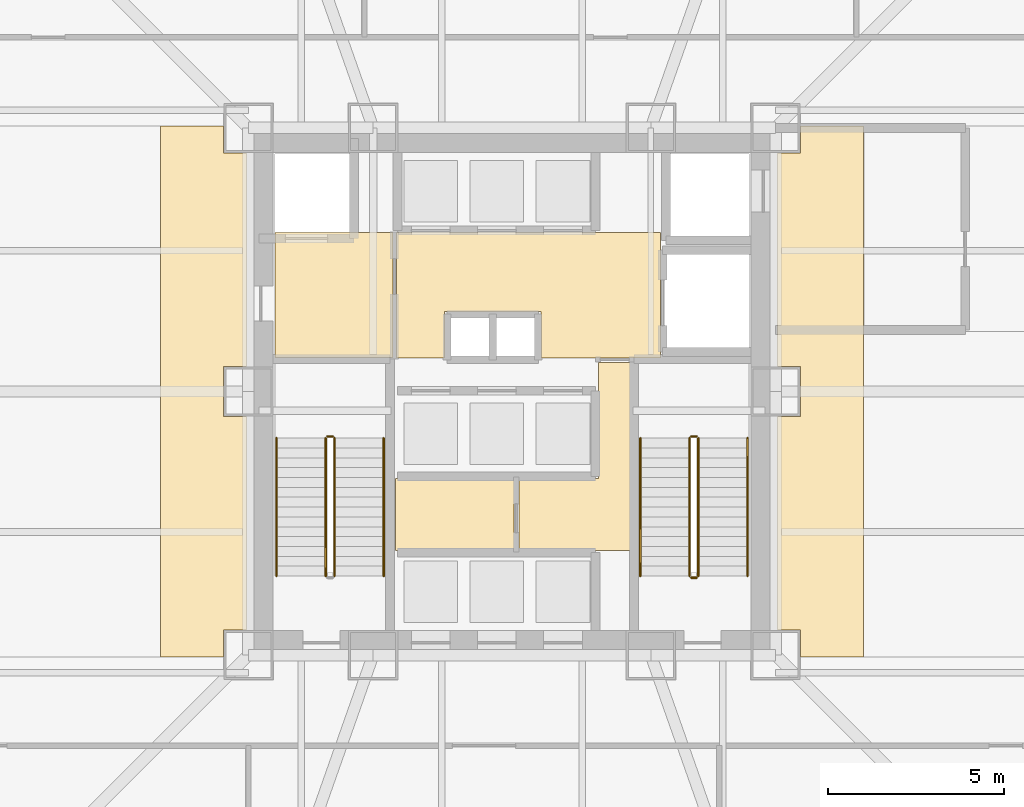
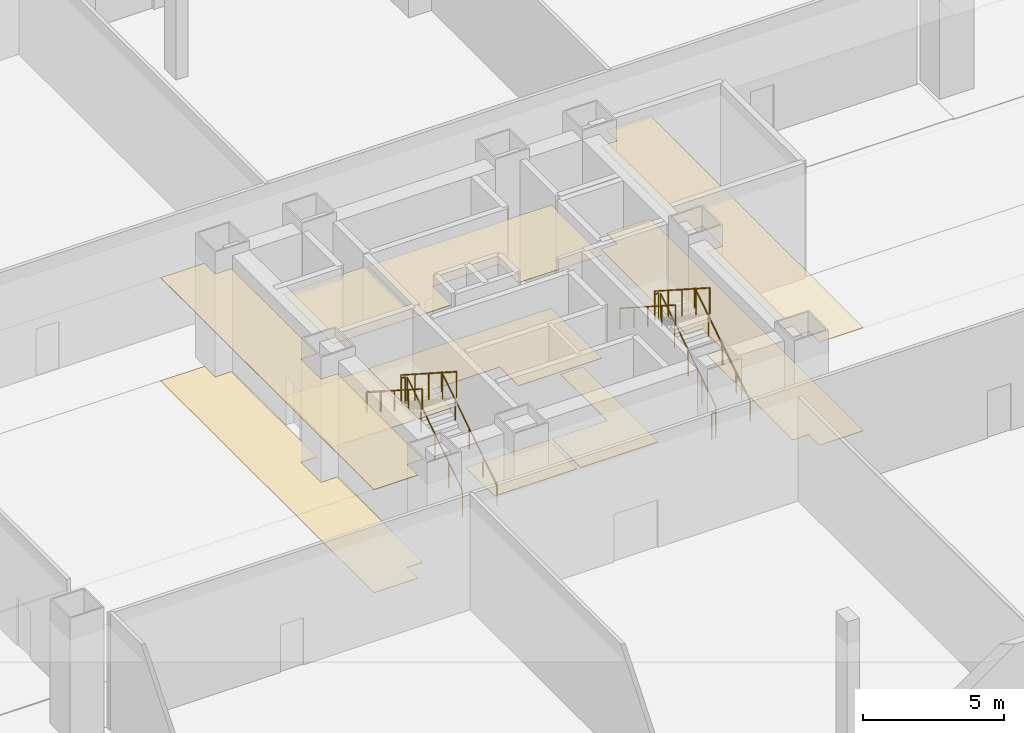
# One storey, part 17 of 24: 11 railings, 10 coverings.
"""IFC4 building model written with IfcOpenShell, lengths in metres."""

from ifc_helpers import new_model, si_unit, direction, frame, origin, origin_2d, place, context, subcontext, project, spatial, polyline, circle, outline, extrude, material, layer, layer_set, type_object, element, save


model = new_model("IFC4")

# Units and contexts
model_context = context("Model", 3, precision=1e-05, world=origin(), true_north=direction((0.0, 1.0)))
body_context = subcontext(model_context, "Body", "Model", "MODEL_VIEW")
ifc_project = project(units=[si_unit("LENGTHUNIT", "METRE"), si_unit("AREAUNIT", "SQUARE_METRE"), si_unit("VOLUMEUNIT", "CUBIC_METRE"), si_unit("PLANEANGLEUNIT", "RADIAN"), si_unit("MASSUNIT", "GRAM", prefix="KILO")], contexts=[model_context])

# Site, building, storey
site_placement = place(None, origin())
site = spatial("IfcSite", under=ifc_project, at=site_placement, CompositionType="ELEMENT")
building_placement = place(site_placement, origin())
building = spatial("IfcBuilding", under=site, at=building_placement, Name="Trevonay Congress Spire", CompositionType="ELEMENT")
storey_placement = place(building_placement, origin())
storey = spatial("IfcBuildingStorey", under=building, at=storey_placement, Name="L00", CompositionType="ELEMENT", Elevation=0.0)

# Coverings
ifc_material_1 = material(Name="Acoustic Mineral Fibre Board", Category="gypsum")
ifc_layer_1 = layer(ifc_material_1, 0.02490234375, Name="Acoustic Mineral Fibre Board")
ifc_layer_set_1 = layer_set([ifc_layer_1], Name="Acoustic Mineral Fibre Board")
covering_type_1 = type_object("IfcCoveringType", Name="COV-CEIL-ACOUSTIC", PredefinedType="CEILING", material=ifc_layer_set_1)
covering_1_placement = place(storey_placement, frame((0.0, 0.0, 4.449951171875)))
element("IfcCovering", 1, at=covering_1_placement, inside=storey, type_object=covering_type_1, Name="L00 Firefighting Lift Lobby West acoustic suspended ceiling", PredefinedType="CEILING", context=body_context, shape_type="SweptSolid", body=[
    extrude(outline(polyline([(-6.75, 0.9599609375), (-3.3798828125, 0.9599609375), (-3.3798828125, 4.52001953125), (-6.75, 4.52001953125), (-6.75, 0.9599609375)])), origin(), (0.0, 0.0, 1.0), 0.025146484375),
])
covering_2_placement = place(storey_placement, frame((0.0, 0.0, 4.449951171875)))
element("IfcCovering", 2, at=covering_2_placement, inside=storey, type_object=covering_type_1, Name="L00 Central and High-Rise Passenger Lift Lobby acoustic suspended ceiling", PredefinedType="CEILING", context=body_context, shape_type="SweptSolid", body=[
    extrude(outline(polyline([(-3.280029296875, 0.949951171875), (-1.919921875, 0.949951171875), (-1.919921875, 2.280029296875), (0.820068359375, 2.280029296875), (0.820068359375, 0.949951171875), (4.219970703125, 0.949951171875), (4.219970703125, 4.52001953125), (-3.280029296875, 4.52001953125), (-3.280029296875, 0.949951171875)])), origin(), (0.0, 0.0, 1.0), 0.025146484375),
])
covering_3_placement = place(storey_placement, frame((0.0, 0.0, 4.449951171875)))
element("IfcCovering", 3, at=covering_3_placement, inside=storey, type_object=covering_type_1, Name="L00 L00 Grand Concourse West acoustic suspended ceiling", PredefinedType="CEILING", context=body_context, shape_type="SweptSolid", body=[
    extrude(outline(polyline([(-10.0, 7.550048828125), (-8.2099609375, 7.550048828125), (-8.2099609375, 6.7900390625), (-7.550048828125, 6.7900390625), (-7.550048828125, 0.7099609375), (-8.2099609375, 0.7099609375), (-8.2099609375, -0.7099609375), (-7.550048828125, -0.7099609375), (-7.550048828125, -6.7900390625), (-8.2099609375, -6.7900390625), (-8.2099609375, -7.550048828125), (-10.0, -7.550048828125), (-10.0, 7.550048828125)])), origin(), (0.0, 0.0, 1.0), 0.025146484375),
])
covering_4_placement = place(storey_placement, frame((0.0, 0.0, 4.449951171875)))
element("IfcCovering", 4, at=covering_4_placement, inside=storey, type_object=covering_type_1, Name="L00 L00 Grand Concourse East acoustic suspended ceiling", PredefinedType="CEILING", context=body_context, shape_type="SweptSolid", body=[
    extrude(outline(polyline([(10.0, -7.550048828125), (8.2099609375, -7.550048828125), (8.2099609375, -6.7900390625), (7.550048828125, -6.7900390625), (7.550048828125, -0.7099609375), (8.2099609375, -0.7099609375), (8.2099609375, 0.7099609375), (7.550048828125, 0.7099609375), (7.550048828125, 6.7900390625), (8.2099609375, 6.7900390625), (8.2099609375, 7.550048828125), (10.0, 7.550048828125), (10.0, -7.550048828125)])), origin(), (0.0, 0.0, 1.0), 0.025146484375),
])
ifc_material_2 = material(Name="Polished Granite Floor Tile", Category="masonry")
ifc_layer_2 = layer(ifc_material_2, 0.02001953125, Name="Polished Granite Floor Tile")
ifc_layer_set_2 = layer_set([ifc_layer_2], Name="Polished Granite Floor Tile")
covering_type_2 = type_object("IfcCoveringType", Name="COV-FLOOR-STONE", PredefinedType="FLOORING", material=ifc_layer_set_2)
covering_5_placement = place(storey_placement, origin())
element("IfcCovering", 5, at=covering_5_placement, inside=storey, type_object=covering_type_2, Name="L00 Firefighting Lift Lobby West floor finish", PredefinedType="FLOORING", context=body_context, shape_type="SweptSolid", body=[
    extrude(outline(polyline([(-6.75, 0.9599609375), (-3.3798828125, 0.9599609375), (-3.3798828125, 4.52001953125), (-6.75, 4.52001953125), (-6.75, 0.9599609375)])), origin(), (0.0, 0.0, 1.0), 0.02001953125),
])
covering_6_placement = place(storey_placement, origin())
element("IfcCovering", 6, at=covering_6_placement, inside=storey, type_object=covering_type_2, Name="L00 Central and High-Rise Passenger Lift Lobby floor finish", PredefinedType="FLOORING", context=body_context, shape_type="SweptSolid", body=[
    extrude(outline(polyline([(-3.280029296875, 0.949951171875), (-1.919921875, 0.949951171875), (-1.919921875, 2.280029296875), (0.820068359375, 2.280029296875), (0.820068359375, 0.949951171875), (4.219970703125, 0.949951171875), (4.219970703125, 4.52001953125), (-3.280029296875, 4.52001953125), (-3.280029296875, 0.949951171875)])), origin(), (0.0, 0.0, 1.0), 0.02001953125),
])
covering_7_placement = place(storey_placement, origin())
element("IfcCovering", 7, at=covering_7_placement, inside=storey, type_object=covering_type_2, Name="L00 Cleaner and Linen Closet floor finish", PredefinedType="FLOORING", context=body_context, shape_type="SweptSolid", body=[
    extrude(outline(polyline([(-3.320068359375, -4.52001953125), (0.050048828125, -4.52001953125), (0.050048828125, -2.47998046875), (-3.320068359375, -2.47998046875), (-3.320068359375, -4.52001953125)])), origin(), (0.0, 0.0, 1.0), 0.02001953125),
])
covering_8_placement = place(storey_placement, origin())
element("IfcCovering", 8, at=covering_8_placement, inside=storey, type_object=covering_type_2, Name="L00 BMS Control Room floor finish", PredefinedType="FLOORING", context=body_context, shape_type="SweptSolid", body=[
    extrude(outline(polyline([(0.199951171875, -4.52001953125), (3.3798828125, -4.52001953125), (3.3798828125, 0.820068359375), (2.4599609375, 0.820068359375), (2.4599609375, -2.47998046875), (0.199951171875, -2.47998046875), (0.199951171875, -4.52001953125)])), origin(), (0.0, 0.0, 1.0), 0.02001953125),
])
covering_9_placement = place(storey_placement, origin())
element("IfcCovering", 9, at=covering_9_placement, inside=storey, type_object=covering_type_2, Name="L00 L00 Grand Concourse West floor finish", PredefinedType="FLOORING", context=body_context, shape_type="SweptSolid", body=[
    extrude(outline(polyline([(-10.0, 7.550048828125), (-8.2099609375, 7.550048828125), (-8.2099609375, 6.7900390625), (-7.550048828125, 6.7900390625), (-7.550048828125, 0.7099609375), (-8.2099609375, 0.7099609375), (-8.2099609375, -0.7099609375), (-7.550048828125, -0.7099609375), (-7.550048828125, -6.7900390625), (-8.2099609375, -6.7900390625), (-8.2099609375, -7.550048828125), (-10.0, -7.550048828125), (-10.0, 7.550048828125)])), origin(), (0.0, 0.0, 1.0), 0.02001953125),
])
covering_10_placement = place(storey_placement, origin())
element("IfcCovering", 10, at=covering_10_placement, inside=storey, type_object=covering_type_2, Name="L00 L00 Grand Concourse East floor finish", PredefinedType="FLOORING", context=body_context, shape_type="SweptSolid", body=[
    extrude(outline(polyline([(10.0, -7.550048828125), (8.2099609375, -7.550048828125), (8.2099609375, -6.7900390625), (7.550048828125, -6.7900390625), (7.550048828125, -0.7099609375), (8.2099609375, -0.7099609375), (8.2099609375, 0.7099609375), (7.550048828125, 0.7099609375), (7.550048828125, 6.7900390625), (8.2099609375, 6.7900390625), (8.2099609375, 7.550048828125), (10.0, 7.550048828125), (10.0, -7.550048828125)])), origin(), (0.0, 0.0, 1.0), 0.02001953125),
])

# Railings
ifc_material_3 = material(Name="Pale Anodised Aluminium EN AW-6063-T6", Category="aluminium")
railing_type_1 = type_object("IfcRailingType", Name="RAL-STAIR-GUARD-110", PredefinedType="GUARDRAIL", material=ifc_material_3)
railing_1_placement = place(storey_placement, frame((-5.050048828125, -5.25, 0.179931640625)))
element("IfcRailing", 11, at=railing_1_placement, inside=storey, type_object=railing_type_1, Name="L00 ST-1 stair guard 1", PredefinedType="GUARDRAIL", context=body_context, shape_type="SweptSolid", body=[
    extrude(circle(Radius=0.02392578125, at=origin_2d()), frame((0.0, 0.0, 1.1259765625), z_axis=(0.0, 0.841171666519, 0.540768182723), x_axis=(-1.0, 0.0, 0.0)), (0.0, 0.0, 1.0), 4.66015625),
    extrude(circle(Radius=0.02099609375, at=origin_2d()), origin(), (0.0, 0.0, 1.0), 1.101806640625),
    extrude(circle(Radius=0.02099609375, at=origin_2d()), frame((0.0, 0.97998046875, 0.6298828125)), (0.0, 0.0, 1.0), 1.101806640625),
    extrude(circle(Radius=0.02099609375, at=origin_2d()), frame((0.0, 1.9599609375, 1.260009765625)), (0.0, 0.0, 1.0), 1.101806640625),
    extrude(circle(Radius=0.02099609375, at=origin_2d()), frame((0.0, 2.93994140625, 1.89013671875)), (0.0, 0.0, 1.0), 1.101806640625),
    extrude(circle(Radius=0.02099609375, at=origin_2d()), frame((0.0, 3.919921875, 2.52001953125)), (0.0, 0.0, 1.0), 1.101806640625),
])
railing_2_placement = place(storey_placement, frame((-5.10009765625, -1.280029296875, 2.699951171875)))
element("IfcRailing", 12, at=railing_2_placement, inside=storey, type_object=railing_type_1, Name="L00 ST-1 stair guard 2", PredefinedType="GUARDRAIL", context=body_context, shape_type="SweptSolid", body=[
    extrude(circle(Radius=0.02392578125, at=origin_2d()), frame((0.0, 0.0, 1.1259765625), z_axis=(-1.0, 0.0, 0.0), x_axis=(0.0, -1.0, 0.0)), (0.0, 0.0, 1.0), 0.14990234375),
    extrude(circle(Radius=0.02099609375, at=origin_2d()), origin(), (0.0, 0.0, 1.0), 1.101806640625),
    extrude(circle(Radius=0.02099609375, at=origin_2d()), frame((-0.14990234375, 0.0, 0.0)), (0.0, 0.0, 1.0), 1.101806640625),
])
railing_3_placement = place(storey_placement, frame((-5.300048828125, -1.330078125, 2.8798828125)))
element("IfcRailing", 13, at=railing_3_placement, inside=storey, type_object=railing_type_1, Name="L00 ST-1 stair guard 3", PredefinedType="GUARDRAIL", context=body_context, shape_type="SweptSolid", body=[
    extrude(circle(Radius=0.02392578125, at=origin_2d()), frame((0.0, 0.0, 1.1259765625), z_axis=(0.0, -0.841171666519, 0.540768182723), x_axis=(1.0, 0.0, 0.0)), (0.0, 0.0, 1.0), 4.66015625),
    extrude(circle(Radius=0.02099609375, at=origin_2d()), origin(), (0.0, 0.0, 1.0), 1.101806640625),
    extrude(circle(Radius=0.02099609375, at=origin_2d()), frame((0.0, -0.97998046875, 0.6298828125)), (0.0, 0.0, 1.0), 1.101806640625),
    extrude(circle(Radius=0.02099609375, at=origin_2d()), frame((0.0, -1.9599609375, 1.260009765625)), (0.0, 0.0, 1.0), 1.101806640625),
    extrude(circle(Radius=0.02099609375, at=origin_2d()), frame((0.0, -2.93994140625, 1.89013671875)), (0.0, 0.0, 1.0), 1.101806640625),
    extrude(circle(Radius=0.02099609375, at=origin_2d()), frame((0.0, -3.919921875, 2.52001953125)), (0.0, 0.0, 1.0), 1.101806640625),
])
railing_4_placement = place(storey_placement, frame((5.300048828125, -5.25, 0.179931640625)))
element("IfcRailing", 14, at=railing_4_placement, inside=storey, type_object=railing_type_1, Name="L00 ST-2 stair guard 1", PredefinedType="GUARDRAIL", context=body_context, shape_type="SweptSolid", body=[
    extrude(circle(Radius=0.02392578125, at=origin_2d()), frame((0.0, 0.0, 1.1259765625), z_axis=(0.0, 0.841171666519, 0.540768182723), x_axis=(-1.0, 0.0, 0.0)), (0.0, 0.0, 1.0), 4.66015625),
    extrude(circle(Radius=0.02099609375, at=origin_2d()), origin(), (0.0, 0.0, 1.0), 1.101806640625),
    extrude(circle(Radius=0.02099609375, at=origin_2d()), frame((0.0, 0.97998046875, 0.6298828125)), (0.0, 0.0, 1.0), 1.101806640625),
    extrude(circle(Radius=0.02099609375, at=origin_2d()), frame((0.0, 1.9599609375, 1.260009765625)), (0.0, 0.0, 1.0), 1.101806640625),
    extrude(circle(Radius=0.02099609375, at=origin_2d()), frame((0.0, 2.93994140625, 1.89013671875)), (0.0, 0.0, 1.0), 1.101806640625),
    extrude(circle(Radius=0.02099609375, at=origin_2d()), frame((0.0, 3.919921875, 2.52001953125)), (0.0, 0.0, 1.0), 1.101806640625),
])
railing_5_placement = place(storey_placement, frame((5.25, -1.280029296875, 2.699951171875)))
element("IfcRailing", 15, at=railing_5_placement, inside=storey, type_object=railing_type_1, Name="L00 ST-2 stair guard 2", PredefinedType="GUARDRAIL", context=body_context, shape_type="SweptSolid", body=[
    extrude(circle(Radius=0.02392578125, at=origin_2d()), frame((0.0, 0.0, 1.1259765625), z_axis=(-1.0, 0.0, 0.0), x_axis=(0.0, -1.0, 0.0)), (0.0, 0.0, 1.0), 0.14990234375),
    extrude(circle(Radius=0.02099609375, at=origin_2d()), origin(), (0.0, 0.0, 1.0), 1.101806640625),
    extrude(circle(Radius=0.02099609375, at=origin_2d()), frame((-0.14990234375, 0.0, 0.0)), (0.0, 0.0, 1.0), 1.101806640625),
])
railing_6_placement = place(storey_placement, frame((5.050048828125, -1.330078125, 2.8798828125)))
element("IfcRailing", 16, at=railing_6_placement, inside=storey, type_object=railing_type_1, Name="L00 ST-2 stair guard 3", PredefinedType="GUARDRAIL", context=body_context, shape_type="SweptSolid", body=[
    extrude(circle(Radius=0.02392578125, at=origin_2d()), frame((0.0, 0.0, 1.1259765625), z_axis=(0.0, -0.841171666519, 0.540768182723), x_axis=(1.0, 0.0, 0.0)), (0.0, 0.0, 1.0), 4.66015625),
    extrude(circle(Radius=0.02099609375, at=origin_2d()), origin(), (0.0, 0.0, 1.0), 1.101806640625),
    extrude(circle(Radius=0.02099609375, at=origin_2d()), frame((0.0, -0.97998046875, 0.6298828125)), (0.0, 0.0, 1.0), 1.101806640625),
    extrude(circle(Radius=0.02099609375, at=origin_2d()), frame((0.0, -1.9599609375, 1.260009765625)), (0.0, 0.0, 1.0), 1.101806640625),
    extrude(circle(Radius=0.02099609375, at=origin_2d()), frame((0.0, -2.93994140625, 1.89013671875)), (0.0, 0.0, 1.0), 1.101806640625),
    extrude(circle(Radius=0.02099609375, at=origin_2d()), frame((0.0, -3.919921875, 2.52001953125)), (0.0, 0.0, 1.0), 1.101806640625),
])
railing_7_placement = place(storey_placement, frame((5.25, -5.300048828125, 0.0)))
element("IfcRailing", 17, at=railing_7_placement, inside=storey, type_object=railing_type_1, Name="L00 ST-2 stair guard 4", PredefinedType="GUARDRAIL", context=body_context, shape_type="SweptSolid", body=[
    extrude(circle(Radius=0.02392578125, at=origin_2d()), frame((0.0, 0.0, 1.1259765625), z_axis=(-1.0, 0.0, 0.0), x_axis=(0.0, -1.0, 0.0)), (0.0, 0.0, 1.0), 0.14990234375),
    extrude(circle(Radius=0.02099609375, at=origin_2d()), origin(), (0.0, 0.0, 1.0), 1.101806640625),
    extrude(circle(Radius=0.02099609375, at=origin_2d()), frame((-0.14990234375, 0.0, 0.0)), (0.0, 0.0, 1.0), 1.101806640625),
])
railing_type_2 = type_object("IfcRailingType", Name="RAL-STAIR-HANDRAIL", PredefinedType="HANDRAIL", material=ifc_material_3)
railing_8_placement = place(storey_placement, frame((-3.64990234375, -5.25, 0.179931640625)))
element("IfcRailing", 18, at=railing_8_placement, inside=storey, type_object=railing_type_2, Name="L00 ST-1 stair handrail 1", PredefinedType="HANDRAIL", context=body_context, shape_type="SweptSolid", body=[
    extrude(circle(Radius=0.02392578125, at=origin_2d()), frame((0.0, 0.0, 0.8759765625), z_axis=(0.0, 0.841171666519, 0.540768182723), x_axis=(-1.0, 0.0, 0.0)), (0.0, 0.0, 1.0), 4.66015625),
    extrude(circle(Radius=0.02099609375, at=origin_2d()), origin(), (0.0, 0.0, 1.0), 0.851806640625),
    extrude(circle(Radius=0.02099609375, at=origin_2d()), frame((0.0, 0.97998046875, 0.6298828125)), (0.0, 0.0, 1.0), 0.851806640625),
    extrude(circle(Radius=0.02099609375, at=origin_2d()), frame((0.0, 1.9599609375, 1.260009765625)), (0.0, 0.0, 1.0), 0.851806640625),
    extrude(circle(Radius=0.02099609375, at=origin_2d()), frame((0.0, 2.93994140625, 1.89013671875)), (0.0, 0.0, 1.0), 0.851806640625),
    extrude(circle(Radius=0.02099609375, at=origin_2d()), frame((0.0, 3.919921875, 2.52001953125)), (0.0, 0.0, 1.0), 0.851806640625),
])
railing_9_placement = place(storey_placement, frame((-6.699951171875, -1.330078125, 2.8798828125)))
element("IfcRailing", 19, at=railing_9_placement, inside=storey, type_object=railing_type_2, Name="L00 ST-1 stair handrail 2", PredefinedType="HANDRAIL", context=body_context, shape_type="SweptSolid", body=[
    extrude(circle(Radius=0.02392578125, at=origin_2d()), frame((0.0, 0.0, 0.8759765625), z_axis=(0.0, -0.841171666519, 0.540768182723), x_axis=(1.0, 0.0, 0.0)), (0.0, 0.0, 1.0), 4.66015625),
    extrude(circle(Radius=0.02099609375, at=origin_2d()), origin(), (0.0, 0.0, 1.0), 0.851806640625),
    extrude(circle(Radius=0.02099609375, at=origin_2d()), frame((0.0, -0.97998046875, 0.6298828125)), (0.0, 0.0, 1.0), 0.851806640625),
    extrude(circle(Radius=0.02099609375, at=origin_2d()), frame((0.0, -1.9599609375, 1.260009765625)), (0.0, 0.0, 1.0), 0.851806640625),
    extrude(circle(Radius=0.02099609375, at=origin_2d()), frame((0.0, -2.93994140625, 1.89013671875)), (0.0, 0.0, 1.0), 0.851806640625),
    extrude(circle(Radius=0.02099609375, at=origin_2d()), frame((0.0, -3.919921875, 2.52001953125)), (0.0, 0.0, 1.0), 0.851806640625),
])
railing_10_placement = place(storey_placement, frame((6.699951171875, -5.25, 0.179931640625)))
element("IfcRailing", 20, at=railing_10_placement, inside=storey, type_object=railing_type_2, Name="L00 ST-2 stair handrail 1", PredefinedType="HANDRAIL", context=body_context, shape_type="SweptSolid", body=[
    extrude(circle(Radius=0.02392578125, at=origin_2d()), frame((0.0, 0.0, 0.8759765625), z_axis=(0.0, 0.841171666519, 0.540768182723), x_axis=(-1.0, 0.0, 0.0)), (0.0, 0.0, 1.0), 4.66015625),
    extrude(circle(Radius=0.02099609375, at=origin_2d()), origin(), (0.0, 0.0, 1.0), 0.851806640625),
    extrude(circle(Radius=0.02099609375, at=origin_2d()), frame((0.0, 0.97998046875, 0.6298828125)), (0.0, 0.0, 1.0), 0.851806640625),
    extrude(circle(Radius=0.02099609375, at=origin_2d()), frame((0.0, 1.9599609375, 1.260009765625)), (0.0, 0.0, 1.0), 0.851806640625),
    extrude(circle(Radius=0.02099609375, at=origin_2d()), frame((0.0, 2.93994140625, 1.89013671875)), (0.0, 0.0, 1.0), 0.851806640625),
    extrude(circle(Radius=0.02099609375, at=origin_2d()), frame((0.0, 3.919921875, 2.52001953125)), (0.0, 0.0, 1.0), 0.851806640625),
])
railing_11_placement = place(storey_placement, frame((3.64990234375, -1.330078125, 2.8798828125)))
element("IfcRailing", 21, at=railing_11_placement, inside=storey, type_object=railing_type_2, Name="L00 ST-2 stair handrail 2", PredefinedType="HANDRAIL", context=body_context, shape_type="SweptSolid", body=[
    extrude(circle(Radius=0.02392578125, at=origin_2d()), frame((0.0, 0.0, 0.8759765625), z_axis=(0.0, -0.841171666519, 0.540768182723), x_axis=(1.0, 0.0, 0.0)), (0.0, 0.0, 1.0), 4.66015625),
    extrude(circle(Radius=0.02099609375, at=origin_2d()), origin(), (0.0, 0.0, 1.0), 0.851806640625),
    extrude(circle(Radius=0.02099609375, at=origin_2d()), frame((0.0, -0.97998046875, 0.6298828125)), (0.0, 0.0, 1.0), 0.851806640625),
    extrude(circle(Radius=0.02099609375, at=origin_2d()), frame((0.0, -1.9599609375, 1.260009765625)), (0.0, 0.0, 1.0), 0.851806640625),
    extrude(circle(Radius=0.02099609375, at=origin_2d()), frame((0.0, -2.93994140625, 1.89013671875)), (0.0, 0.0, 1.0), 0.851806640625),
    extrude(circle(Radius=0.02099609375, at=origin_2d()), frame((0.0, -3.919921875, 2.52001953125)), (0.0, 0.0, 1.0), 0.851806640625),
])

save(model, "model.ifc")
